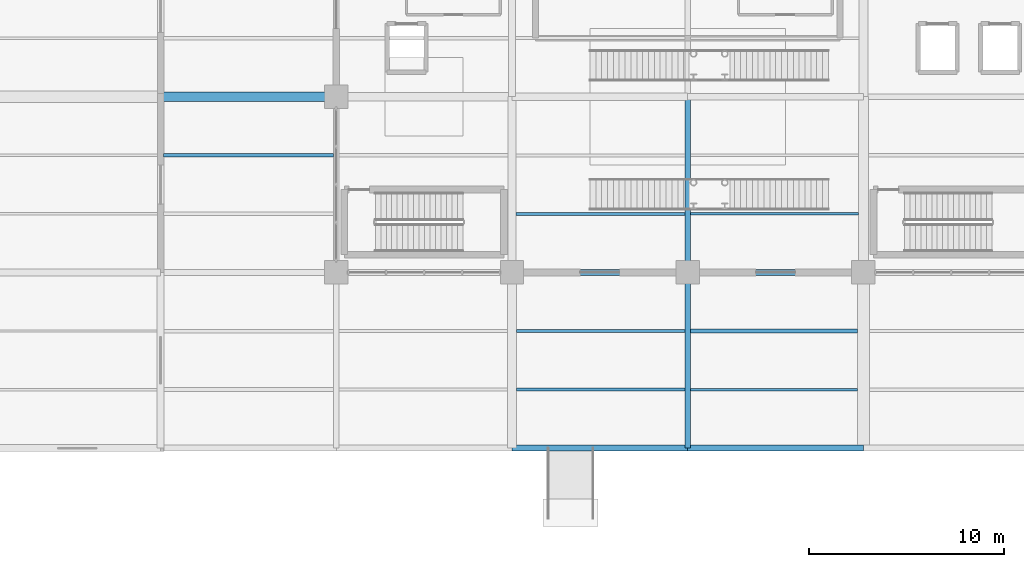
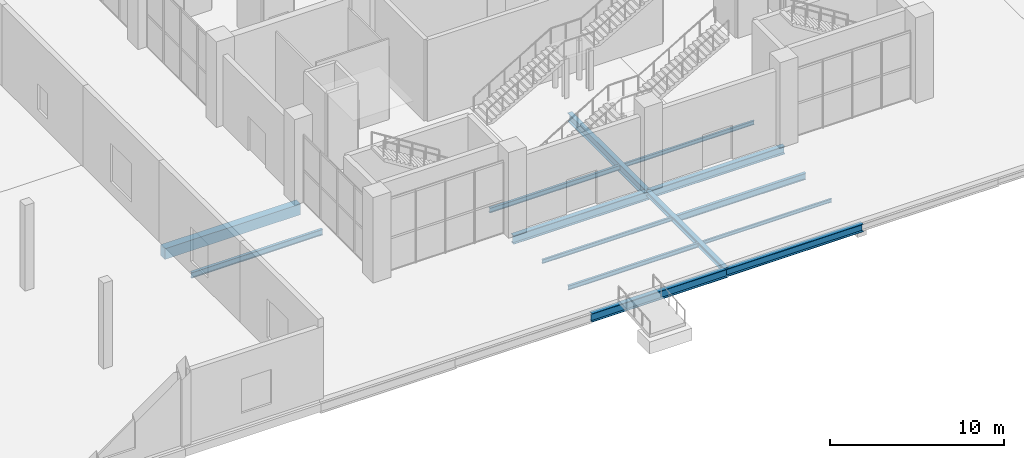
# One storey, part 19 of 144: 14 beams.
"""IFC4 building model written with IfcOpenShell, lengths in metres."""

from ifc_helpers import new_model, si_unit, direction, frame, origin, origin_2d, place, context, subcontext, project, spatial, rectangle, i_section, extrude, material, material_profile, profile_set, type_object, element, save


model = new_model("IFC4")

# Units and contexts
model_context = context("Model", 3, precision=1e-05, world=origin(), true_north=direction((0.0, 1.0)))
body_context = subcontext(model_context, "Body", "Model", "MODEL_VIEW")
ifc_project = project(units=[si_unit("LENGTHUNIT", "METRE"), si_unit("AREAUNIT", "SQUARE_METRE"), si_unit("VOLUMEUNIT", "CUBIC_METRE"), si_unit("PLANEANGLEUNIT", "RADIAN"), si_unit("MASSUNIT", "GRAM", prefix="KILO")], contexts=[model_context])

# Site, building, storey
site_placement = place(None, origin())
site = spatial("IfcSite", under=ifc_project, at=site_placement, CompositionType="ELEMENT")
building_placement = place(site_placement, origin())
building = spatial("IfcBuilding", under=site, at=building_placement, Name="Sundgate Opera House", CompositionType="ELEMENT")
storey_placement = place(building_placement, origin())
storey = spatial("IfcBuildingStorey", under=building, at=storey_placement, Name="L00", CompositionType="ELEMENT", Elevation=0.0)

# Beams
ifc_material_1 = material(Name="Steel S355J2", Category="steel")
ifc_material_profile_1 = material_profile(ifc_material_1, i_section(OverallWidth=0.300048828125, OverallDepth=0.590087890625, WebThickness=0.012939453125, FlangeThickness=0.02490234375, at=origin_2d()), Name="HEA 600")
ifc_profile_set_1 = profile_set([ifc_material_profile_1], Name="Steel S355J2")
beam_type_1 = type_object("IfcBeamType", Name="BM-GR-HEA600", PredefinedType="BEAM", material=ifc_profile_set_1)
beam_1_placement = place(storey_placement, frame((54.0, 42.0, -0.614990234375), z_axis=(0.0, 1.0, 0.0), x_axis=(-1.0, 0.0, 0.0)))
element("IfcBeam", 1, at=beam_1_placement, inside=storey, type_object=beam_type_1, Name="L00 Primary N-S Girder B0133", PredefinedType="BEAM", context=body_context, shape_type="SweptSolid", body=[
    extrude(i_section(OverallWidth=0.300048828125, OverallDepth=0.590087890625, WebThickness=0.012939453125, FlangeThickness=0.02490234375, at=origin_2d()), origin(), (0.0, 0.0, 1.0), 9.0),
])
ifc_material_2 = material(Name="Steel S355J2", Category="steel")
ifc_material_profile_2 = material_profile(ifc_material_2, i_section(OverallWidth=0.300048828125, OverallDepth=0.360107421875, WebThickness=0.012451171875, FlangeThickness=0.0224609375, at=origin_2d()), Name="HEB 360")
ifc_profile_set_2 = profile_set([ifc_material_profile_2], Name="Steel S355J2")
beam_type_2 = type_object("IfcBeamType", Name="BM-GR-HEB360", PredefinedType="BEAM", material=ifc_profile_set_2)
beam_2_placement = place(storey_placement, frame((54.0, 33.0, -0.5), z_axis=(0.0, 1.0, 0.0), x_axis=(-1.0, 0.0, 0.0)))
element("IfcBeam", 2, at=beam_2_placement, inside=storey, type_object=beam_type_2, Name="L00 Primary N-S Girder B0132", PredefinedType="BEAM", context=body_context, shape_type="SweptSolid", body=[
    extrude(i_section(OverallWidth=0.300048828125, OverallDepth=0.360107421875, WebThickness=0.012451171875, FlangeThickness=0.0224609375, at=origin_2d()), origin(), (0.0, 0.0, 1.0), 9.0),
])
ifc_material_3 = material(Name="Steel S355J2", Category="steel")
ifc_material_profile_3 = material_profile(ifc_material_3, i_section(OverallWidth=0.300048828125, OverallDepth=0.550048828125, WebThickness=0.014892578125, FlangeThickness=0.029052734375, at=origin_2d()), Name="HEB 550")
ifc_profile_set_3 = profile_set([ifc_material_profile_3], Name="Steel S355J2")
beam_type_3 = type_object("IfcBeamType", Name="BM-GR-HEB550", PredefinedType="BEAM", material=ifc_profile_set_3)
for number, where, z_axis, x_axis, name in (
    (3, (54.0, 33.0, -0.594970703125), (1.0, 0.0, 0.0), (0.0, 1.0, 0.0), "L00 Primary E-W Girder B0391"),
    (4, (54.0, 42.0, -0.594970703125), (1.0, 0.0, 0.0), (0.0, 1.0, 0.0), "L00 Primary E-W Girder B0413"),
):
    element("IfcBeam", number, at=place(storey_placement, frame(where, z_axis=z_axis, x_axis=x_axis)), inside=storey, type_object=beam_type_3, Name=name, PredefinedType="BEAM", context=body_context, shape_type="SweptSolid", body=[
        extrude(i_section(OverallWidth=0.300048828125, OverallDepth=0.550048828125, WebThickness=0.014892578125, FlangeThickness=0.029052734375, at=origin_2d()), origin(), (0.0, 0.0, 1.0), 9.0),
    ])
ifc_material_4 = material(Name="Steel S355J2", Category="steel")
ifc_material_profile_4 = material_profile(ifc_material_4, i_section(OverallWidth=0.300048828125, OverallDepth=0.60009765625, WebThickness=0.015380859375, FlangeThickness=0.030029296875, at=origin_2d()), Name="HEB 600")
ifc_profile_set_4 = profile_set([ifc_material_profile_4], Name="Steel S355J2")
beam_type_4 = type_object("IfcBeamType", Name="BM-GR-HEB600", PredefinedType="BEAM", material=ifc_profile_set_4)
for number, where, z_axis, x_axis, name in (
    (5, (45.0, 33.0, -0.6201171875), (1.0, 0.0, 0.0), (0.0, 1.0, 0.0), "L00 Primary E-W Girder B0390"),
    (6, (45.0, 42.0, -0.6201171875), (1.0, 0.0, 0.0), (0.0, 1.0, 0.0), "L00 Primary E-W Girder B0412"),
):
    element("IfcBeam", number, at=place(storey_placement, frame(where, z_axis=z_axis, x_axis=x_axis)), inside=storey, type_object=beam_type_4, Name=name, PredefinedType="BEAM", context=body_context, shape_type="SweptSolid", body=[
        extrude(i_section(OverallWidth=0.300048828125, OverallDepth=0.60009765625, WebThickness=0.015380859375, FlangeThickness=0.030029296875, at=origin_2d()), origin(), (0.0, 0.0, 1.0), 9.0),
    ])
ifc_material_5 = material(Name="Steel S355J2", Category="steel")
ifc_material_profile_5 = material_profile(ifc_material_5, i_section(OverallWidth=0.1201171875, OverallDepth=0.239990234375, WebThickness=0.006103515625, FlangeThickness=0.009765625, at=origin_2d()), Name="IPE 240")
ifc_profile_set_5 = profile_set([ifc_material_profile_5], Name="Steel S355J2")
beam_type_5 = type_object("IfcBeamType", Name="BM-JS-IPE240", PredefinedType="JOIST", material=ifc_profile_set_5)
beam_3_placement = place(storey_placement, frame((54.14990234375, 36.0, -0.43994140625), z_axis=(1.0, 0.0, 0.0), x_axis=(0.0, 1.0, 0.0)))
element("IfcBeam", 7, at=beam_3_placement, inside=storey, type_object=beam_type_5, Name="L00 Secondary Floor Joist B0720", PredefinedType="JOIST", context=body_context, shape_type="SweptSolid", body=[
    extrude(i_section(OverallWidth=0.1201171875, OverallDepth=0.239990234375, WebThickness=0.006103515625, FlangeThickness=0.009765625, at=origin_2d()), origin(), (0.0, 0.0, 1.0), 8.550048828125),
])
ifc_material_6 = material(Name="Steel S355J2", Category="steel")
ifc_material_profile_6 = material_profile(ifc_material_6, i_section(OverallWidth=0.135009765625, OverallDepth=0.27001953125, WebThickness=0.006591796875, FlangeThickness=0.01025390625, at=origin_2d()), Name="IPE 270")
ifc_profile_set_6 = profile_set([ifc_material_profile_6], Name="Steel S355J2")
beam_type_6 = type_object("IfcBeamType", Name="BM-JS-IPE270", PredefinedType="JOIST", material=ifc_profile_set_6)
beam_4_placement = place(storey_placement, frame((45.22509765625, 39.0, -0.455078125), z_axis=(1.0, 0.0, 0.0), x_axis=(0.0, 1.0, 0.0)))
element("IfcBeam", 8, at=beam_4_placement, inside=storey, type_object=beam_type_6, Name="L00 Secondary Floor Joist B0719", PredefinedType="JOIST", context=body_context, shape_type="SweptSolid", body=[
    extrude(i_section(OverallWidth=0.135009765625, OverallDepth=0.27001953125, WebThickness=0.006591796875, FlangeThickness=0.01025390625, at=origin_2d()), origin(), (0.0, 0.0, 1.0), 8.625),
])
beam_5_placement = place(storey_placement, frame((54.14990234375, 45.0, -0.455078125), z_axis=(1.0, 0.0, 0.0), x_axis=(0.0, 1.0, 0.0)))
element("IfcBeam", 9, at=beam_5_placement, inside=storey, type_object=beam_type_6, Name="L00 Secondary Floor Joist B0754", PredefinedType="JOIST", context=body_context, shape_type="SweptSolid", body=[
    extrude(i_section(OverallWidth=0.135009765625, OverallDepth=0.27001953125, WebThickness=0.006591796875, FlangeThickness=0.01025390625, at=origin_2d()), origin(), (0.0, 0.0, 1.0), 8.60009765625),
])
ifc_material_7 = material(Name="Steel S355J2", Category="steel")
ifc_material_profile_7 = material_profile(ifc_material_7, i_section(OverallWidth=0.14990234375, OverallDepth=0.300048828125, WebThickness=0.007080078125, FlangeThickness=0.0107421875, at=origin_2d()), Name="IPE 300")
ifc_profile_set_7 = profile_set([ifc_material_profile_7], Name="Steel S355J2")
beam_type_7 = type_object("IfcBeamType", Name="BM-JS-IPE300", PredefinedType="JOIST", material=ifc_profile_set_7)
beam_6_placement = place(storey_placement, frame((45.22509765625, 36.0, -0.469970703125), z_axis=(1.0, 0.0, 0.0), x_axis=(0.0, 1.0, 0.0)))
element("IfcBeam", 10, at=beam_6_placement, inside=storey, type_object=beam_type_7, Name="L00 Secondary Floor Joist B0718", PredefinedType="JOIST", context=body_context, shape_type="SweptSolid", body=[
    extrude(i_section(OverallWidth=0.14990234375, OverallDepth=0.300048828125, WebThickness=0.007080078125, FlangeThickness=0.0107421875, at=origin_2d()), origin(), (0.0, 0.0, 1.0), 8.625),
])
ifc_material_8 = material(Name="Steel S355J2", Category="steel")
ifc_material_profile_8 = material_profile(ifc_material_8, i_section(OverallWidth=0.159912109375, OverallDepth=0.330078125, WebThickness=0.007568359375, FlangeThickness=0.011474609375, at=origin_2d()), Name="IPE 330")
ifc_profile_set_8 = profile_set([ifc_material_profile_8], Name="Steel S355J2")
beam_type_8 = type_object("IfcBeamType", Name="BM-JS-IPE330", PredefinedType="JOIST", material=ifc_profile_set_8)
beam_7_placement = place(storey_placement, frame((45.199951171875, 45.0, -0.485107421875), z_axis=(1.0, 0.0, 0.0), x_axis=(0.0, 1.0, 0.0)))
element("IfcBeam", 11, at=beam_7_placement, inside=storey, type_object=beam_type_8, Name="L00 Secondary Floor Joist B0752", PredefinedType="JOIST", context=body_context, shape_type="SweptSolid", body=[
    extrude(i_section(OverallWidth=0.159912109375, OverallDepth=0.330078125, WebThickness=0.007568359375, FlangeThickness=0.011474609375, at=origin_2d()), origin(), (0.0, 0.0, 1.0), 8.650146484375),
])
ifc_material_9 = material(Name="Steel S355J2", Category="steel")
ifc_material_profile_9 = material_profile(ifc_material_9, i_section(OverallWidth=0.179931640625, OverallDepth=0.39990234375, WebThickness=0.008544921875, FlangeThickness=0.013427734375, at=origin_2d()), Name="IPE 400")
ifc_profile_set_9 = profile_set([ifc_material_profile_9], Name="Steel S355J2")
beam_type_9 = type_object("IfcBeamType", Name="BM-JS-IPE400", PredefinedType="JOIST", material=ifc_profile_set_9)
beam_8_placement = place(storey_placement, frame((27.14990234375, 48.0, -0.52001953125), z_axis=(1.0, 0.0, 0.0), x_axis=(0.0, 1.0, 0.0)))
element("IfcBeam", 12, at=beam_8_placement, inside=storey, type_object=beam_type_9, Name="L00 Secondary Floor Joist B0750", PredefinedType="JOIST", context=body_context, shape_type="SweptSolid", body=[
    extrude(i_section(OverallWidth=0.179931640625, OverallDepth=0.39990234375, WebThickness=0.008544921875, FlangeThickness=0.013427734375, at=origin_2d()), origin(), (0.0, 0.0, 1.0), 8.7001953125),
])
ifc_material_10 = material(Name="Steel S355J2", Category="steel")
ifc_material_profile_10 = material_profile(ifc_material_10, i_section(OverallWidth=0.18994140625, OverallDepth=0.449951171875, WebThickness=0.009521484375, FlangeThickness=0.0146484375, at=origin_2d()), Name="IPE 450")
ifc_profile_set_10 = profile_set([ifc_material_profile_10], Name="Steel S355J2")
beam_type_10 = type_object("IfcBeamType", Name="BM-JS-IPE450", PredefinedType="JOIST", material=ifc_profile_set_10)
beam_9_placement = place(storey_placement, frame((54.14990234375, 39.0, -0.544921875), z_axis=(1.0, 0.0, 0.0), x_axis=(0.0, 1.0, 0.0)))
element("IfcBeam", 13, at=beam_9_placement, inside=storey, type_object=beam_type_10, Name="L00 Secondary Floor Joist B0721", PredefinedType="JOIST", context=body_context, shape_type="SweptSolid", body=[
    extrude(i_section(OverallWidth=0.18994140625, OverallDepth=0.449951171875, WebThickness=0.009521484375, FlangeThickness=0.0146484375, at=origin_2d()), origin(), (0.0, 0.0, 1.0), 8.550048828125),
])
ifc_material_11 = material(Name="Concrete C40/50", Category="concrete")
ifc_material_profile_11 = material_profile(ifc_material_11, rectangle(XDim=0.5, YDim=0.75, at=origin_2d()), Name="RC 500x750")
ifc_profile_set_11 = profile_set([ifc_material_profile_11], Name="Concrete C40/50")
beam_type_11 = type_object("IfcBeamType", Name="BM-RC-500x750", PredefinedType="BEAM", material=ifc_profile_set_11)
beam_10_placement = place(storey_placement, frame((27.0, 51.0, -0.695068359375), z_axis=(1.0, 0.0, 0.0), x_axis=(0.0, 1.0, 0.0)))
element("IfcBeam", 14, at=beam_10_placement, inside=storey, type_object=beam_type_11, Name="L00 Primary E-W Girder B0428", PredefinedType="BEAM", context=body_context, shape_type="SweptSolid", body=[
    extrude(rectangle(XDim=0.5, YDim=0.75, at=origin_2d()), origin(), (0.0, 0.0, 1.0), 9.0),
])

save(model, "model.ifc")
